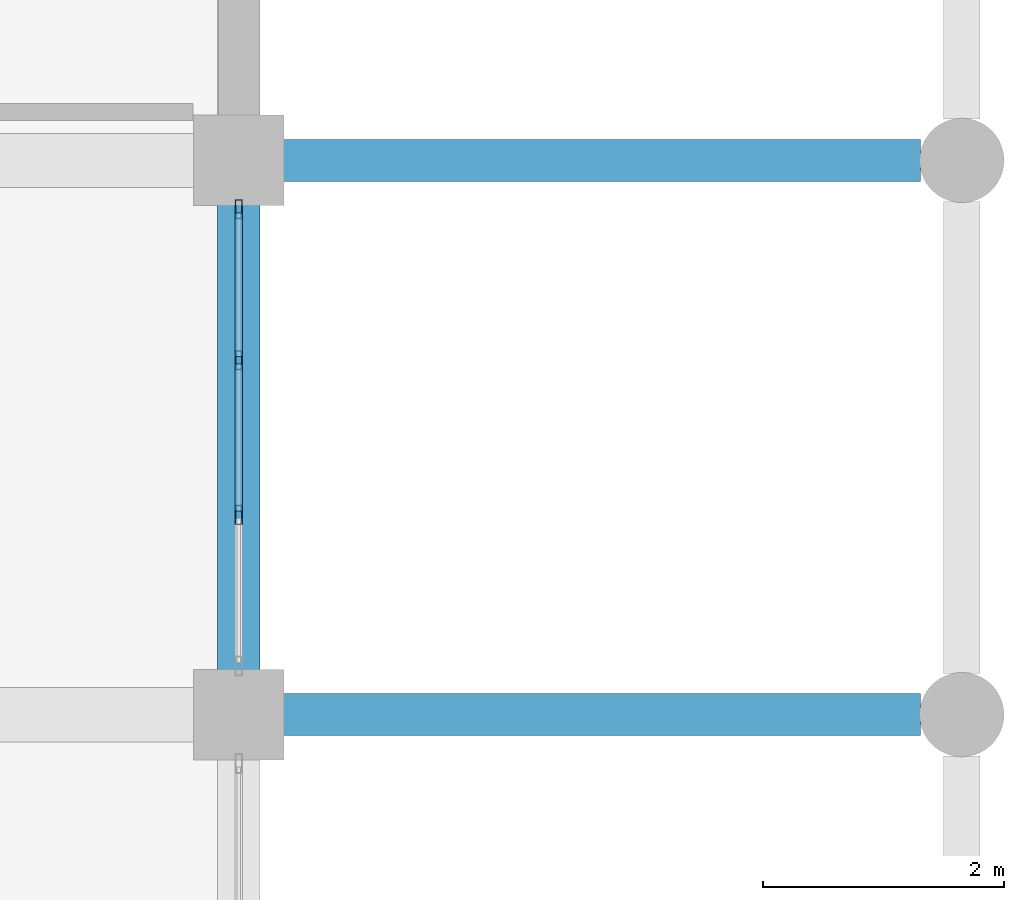
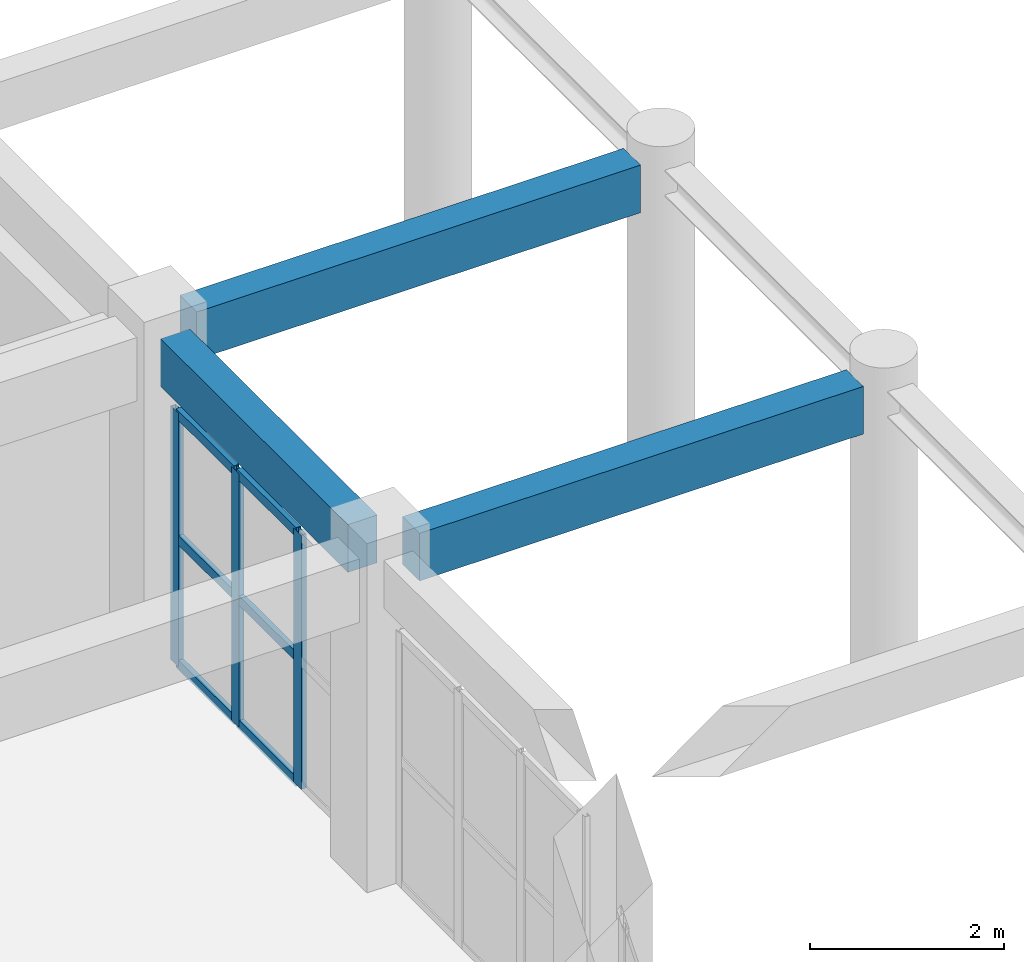
# One storey, part 61 of 116: 9 members, 3 beams, 1 element without a shape of its own.
"""IFC4 building model written with IfcOpenShell, lengths in metres."""

from ifc_helpers import new_model, si_unit, direction, frame, origin, origin_2d, place, context, subcontext, project, spatial, rectangle, hollow_rectangle, extrude, material, layer, layer_set, material_profile, profile_set, type_object, element, aggregate, save


model = new_model("IFC4")

# Units and contexts
model_context = context("Model", 3, precision=1e-05, world=origin(), true_north=direction((0.0, 1.0)))
body_context = subcontext(model_context, "Body", "Model", "MODEL_VIEW")
ifc_project = project(units=[si_unit("LENGTHUNIT", "METRE"), si_unit("AREAUNIT", "SQUARE_METRE"), si_unit("VOLUMEUNIT", "CUBIC_METRE"), si_unit("PLANEANGLEUNIT", "RADIAN"), si_unit("MASSUNIT", "GRAM", prefix="KILO")], contexts=[model_context])

# Site, building, storey
site_placement = place(None, origin())
site = spatial("IfcSite", under=ifc_project, at=site_placement, CompositionType="ELEMENT")
building_placement = place(site_placement, origin())
building = spatial("IfcBuilding", under=site, at=building_placement, Name="Muzn Square Opera House", CompositionType="ELEMENT")
storey_placement = place(building_placement, frame((0.0, 0.0, 5.39990234375)))
storey = spatial("IfcBuildingStorey", under=building, at=storey_placement, Name="L01", CompositionType="ELEMENT", Elevation=5.39990234375)

# Curtain wall, members
ifc_material_1 = material(Name="Low-E laminated acoustic double glazing", Category="glass")
ifc_layer = layer(ifc_material_1, 0.159912109375, Name="Low-E laminated acoustic double glazing", Category="glass")
ifc_layer_set = layer_set([ifc_layer], Name="Low-E laminated acoustic double glazing")
curtain_wall_type = type_object("IfcCurtainWallType", Name="Glazed Curtain Wall EastBlvd 3850x3200", PredefinedType="USERDEFINED", material=ifc_layer_set)
curtain_wall_placement = place(storey_placement, origin())
curtain_wall = element("IfcCurtainWall", 1, at=curtain_wall_placement, inside=storey, type_object=curtain_wall_type, Name="Glazed Curtain Wall CW-L01-115", ObjectType="GLAZED CURTAIN WALL", PredefinedType="USERDEFINED")
ifc_material_2 = material(Name="Anodised bronze aluminium 6063-T6", Category="metal")
ifc_material_profile_1 = material_profile(ifc_material_2, hollow_rectangle(XDim=0.06005859375, YDim=0.159912109375, WallThickness=0.00390625, at=origin_2d()), Name="ALU 160x60x4", Category="metal")
ifc_profile_set_1 = profile_set([ifc_material_profile_1], Name="Anodised bronze aluminium 6063-T6")
member_type_1 = type_object("IfcMemberType", Name="Curtain Wall Mullion 160x60", PredefinedType="MULLION", material=ifc_profile_set_1)
member_1_placement = place(storey_placement, frame((170.0, 28.25830078125, 0.0), z_axis=(0.0, 0.0, 1.0), x_axis=(-1.0, 0.0, 0.0)))
member_1 = element("IfcMember", 2, at=member_1_placement, type_object=member_type_1, Name="CW-EBL-38x32 mullion 2", PredefinedType="MULLION", context=body_context, shape_type="SweptSolid", body=[
    extrude(hollow_rectangle(XDim=0.06005859375, YDim=0.159912109375, WallThickness=0.00390625, at=origin_2d()), origin(), (0.0, 0.0, 1.0), 3.2001953125),
])
member_2_placement = place(storey_placement, frame((170.0, 29.541748046875, 0.0), z_axis=(0.0, 0.0, 1.0), x_axis=(-1.0, 0.0, 0.0)))
member_2 = element("IfcMember", 3, at=member_2_placement, type_object=member_type_1, Name="CW-EBL-38x32 mullion 3", PredefinedType="MULLION", context=body_context, shape_type="SweptSolid", body=[
    extrude(hollow_rectangle(XDim=0.06005859375, YDim=0.159912109375, WallThickness=0.00390625, at=origin_2d()), origin(), (0.0, 0.0, 1.0), 3.2001953125),
])
member_3_placement = place(storey_placement, frame((170.0, 30.794921875, 0.0), z_axis=(0.0, 0.0, 1.0), x_axis=(-1.0, 0.0, 0.0)))
member_3 = element("IfcMember", 4, at=member_3_placement, type_object=member_type_1, Name="CW-EBL-38x32 mullion 4", PredefinedType="MULLION", context=body_context, shape_type="SweptSolid", body=[
    extrude(hollow_rectangle(XDim=0.06005859375, YDim=0.159912109375, WallThickness=0.00390625, at=origin_2d()), origin(), (0.0, 0.0, 1.0), 3.2001953125),
])
ifc_material_profile_2 = material_profile(ifc_material_2, hollow_rectangle(XDim=0.06005859375, YDim=0.1201171875, WallThickness=0.00390625, at=origin_2d()), Name="ALU 120x60x4", Category="metal")
ifc_profile_set_2 = profile_set([ifc_material_profile_2], Name="Anodised bronze aluminium 6063-T6")
member_type_2 = type_object("IfcMemberType", Name="Curtain Wall Transom 120x60", PredefinedType="USERDEFINED", material=ifc_profile_set_2)
member_4_placement = place(storey_placement, frame((170.0, 28.288330078125, 0.030029296875), z_axis=(0.0, 1.0, 0.0), x_axis=(-1.0, 0.0, 0.0)))
member_4 = element("IfcMember", 5, at=member_4_placement, type_object=member_type_2, Name="CW-EBL-38x32 transom 2.1", ObjectType="TRANSOM", PredefinedType="USERDEFINED", context=body_context, shape_type="SweptSolid", body=[
    extrude(hollow_rectangle(XDim=0.06005859375, YDim=0.1201171875, WallThickness=0.00390625, at=origin_2d()), origin(), (0.0, 0.0, 1.0), 1.223388671875),
])
member_5_placement = place(storey_placement, frame((170.0, 28.288330078125, 1.60009765625), z_axis=(0.0, 1.0, 0.0), x_axis=(-1.0, 0.0, 0.0)))
member_5 = element("IfcMember", 6, at=member_5_placement, type_object=member_type_2, Name="CW-EBL-38x32 transom 2.2", ObjectType="TRANSOM", PredefinedType="USERDEFINED", context=body_context, shape_type="SweptSolid", body=[
    extrude(hollow_rectangle(XDim=0.06005859375, YDim=0.1201171875, WallThickness=0.00390625, at=origin_2d()), origin(), (0.0, 0.0, 1.0), 1.223388671875),
])
member_6_placement = place(storey_placement, frame((170.0, 28.288330078125, 3.170166015625), z_axis=(0.0, 1.0, 0.0), x_axis=(-1.0, 0.0, 0.0)))
member_6 = element("IfcMember", 7, at=member_6_placement, type_object=member_type_2, Name="CW-EBL-38x32 transom 2.3", ObjectType="TRANSOM", PredefinedType="USERDEFINED", context=body_context, shape_type="SweptSolid", body=[
    extrude(hollow_rectangle(XDim=0.06005859375, YDim=0.1201171875, WallThickness=0.00390625, at=origin_2d()), origin(), (0.0, 0.0, 1.0), 1.223388671875),
])
member_7_placement = place(storey_placement, frame((170.0, 29.57177734375, 0.030029296875), z_axis=(0.0, 1.0, 0.0), x_axis=(-1.0, 0.0, 0.0)))
member_7 = element("IfcMember", 8, at=member_7_placement, type_object=member_type_2, Name="CW-EBL-38x32 transom 3.1", ObjectType="TRANSOM", PredefinedType="USERDEFINED", context=body_context, shape_type="SweptSolid", body=[
    extrude(hollow_rectangle(XDim=0.06005859375, YDim=0.1201171875, WallThickness=0.00390625, at=origin_2d()), origin(), (0.0, 0.0, 1.0), 1.193115234375),
])
member_8_placement = place(storey_placement, frame((170.0, 29.57177734375, 1.60009765625), z_axis=(0.0, 1.0, 0.0), x_axis=(-1.0, 0.0, 0.0)))
member_8 = element("IfcMember", 9, at=member_8_placement, type_object=member_type_2, Name="CW-EBL-38x32 transom 3.2", ObjectType="TRANSOM", PredefinedType="USERDEFINED", context=body_context, shape_type="SweptSolid", body=[
    extrude(hollow_rectangle(XDim=0.06005859375, YDim=0.1201171875, WallThickness=0.00390625, at=origin_2d()), origin(), (0.0, 0.0, 1.0), 1.193115234375),
])
member_9_placement = place(storey_placement, frame((170.0, 29.57177734375, 3.170166015625), z_axis=(0.0, 1.0, 0.0), x_axis=(-1.0, 0.0, 0.0)))
member_9 = element("IfcMember", 10, at=member_9_placement, type_object=member_type_2, Name="CW-EBL-38x32 transom 3.3", ObjectType="TRANSOM", PredefinedType="USERDEFINED", context=body_context, shape_type="SweptSolid", body=[
    extrude(hollow_rectangle(XDim=0.06005859375, YDim=0.1201171875, WallThickness=0.00390625, at=origin_2d()), origin(), (0.0, 0.0, 1.0), 1.193115234375),
])
aggregate(curtain_wall, [member_1, member_2, member_3, member_4, member_5, member_6, member_7, member_8, member_9])

# Beams
ifc_material_3 = material(Name="Concrete C40/50", Category="concrete")
ifc_material_profile_3 = material_profile(ifc_material_3, rectangle(XDim=0.35009765625, YDim=0.60009765625, at=origin_2d()), Name="RCB 350x600", Category="concrete")
ifc_profile_set_3 = profile_set([ifc_material_profile_3], Name="Concrete C40/50")
beam_type = type_object("IfcBeamType", Name="Primary Girder 350x600", PredefinedType="BEAM", material=ifc_profile_set_3)
for number, where, z_axis, x_axis, name in (
    (11, (170.366943359375, 26.60009765625, 3.85009765625), (1.0, 0.0, 0.0), (0.0, 1.0, 0.0), "Primary Girder BM-L01-BM-PG600-1704_266_1757_266-1311"),
    (12, (170.366943359375, 31.199951171875, 3.85009765625), (1.0, 0.0, 0.0), (0.0, 1.0, 0.0), "Primary Girder BM-L01-BM-PG600-1704_312_1757_312-1332"),
):
    element("IfcBeam", number, at=place(storey_placement, frame(where, z_axis=z_axis, x_axis=x_axis)), inside=storey, type_object=beam_type, Name=name, PredefinedType="BEAM", context=body_context, shape_type="SweptSolid", body=[
        extrude(rectangle(XDim=0.35009765625, YDim=0.60009765625, at=origin_2d()), origin(), (0.0, 0.0, 1.0), 5.291015625),
    ])
beam_placement = place(storey_placement, frame((170.0, 26.967041015625, 3.820068359375), z_axis=(0.0, 1.0, 0.0), x_axis=(-1.0, 0.0, 0.0)))
element("IfcBeam", 13, at=beam_placement, inside=storey, type_object=beam_type, Name="Primary Girder BM-L01-BM-PG600-1700_270_1700_308-1769", PredefinedType="BEAM", context=body_context, shape_type="SweptSolid", body=[
    extrude(rectangle(XDim=0.35009765625, YDim=0.60009765625, at=origin_2d()), origin(), (0.0, 0.0, 1.0), 3.865966796875),
])

save(model, "model.ifc")
